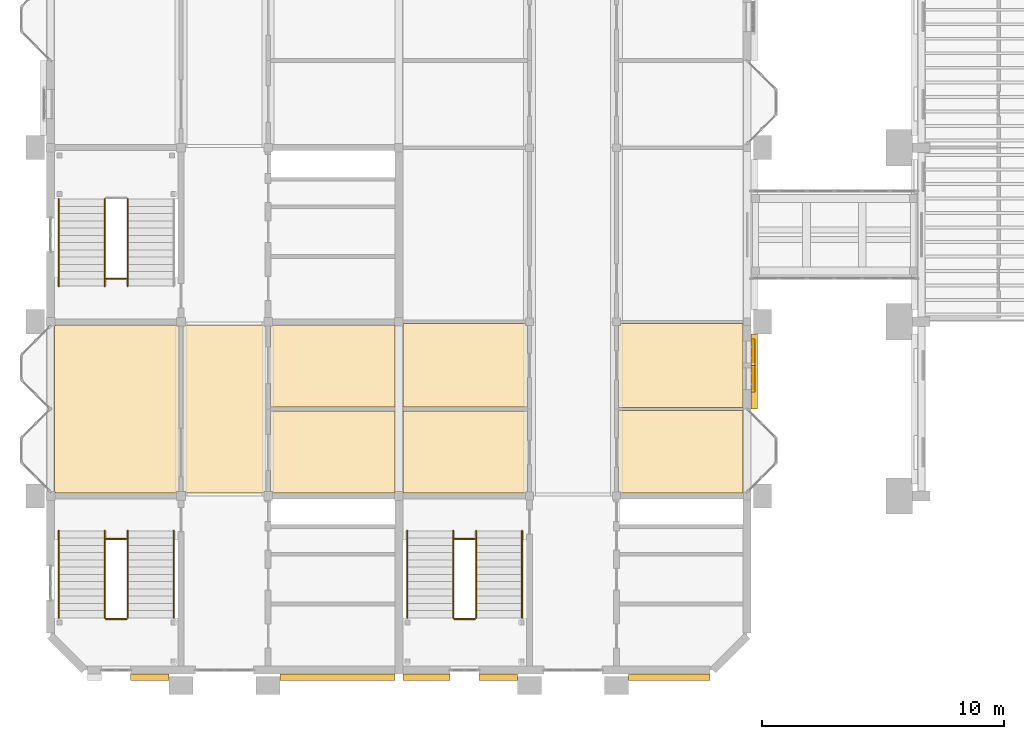
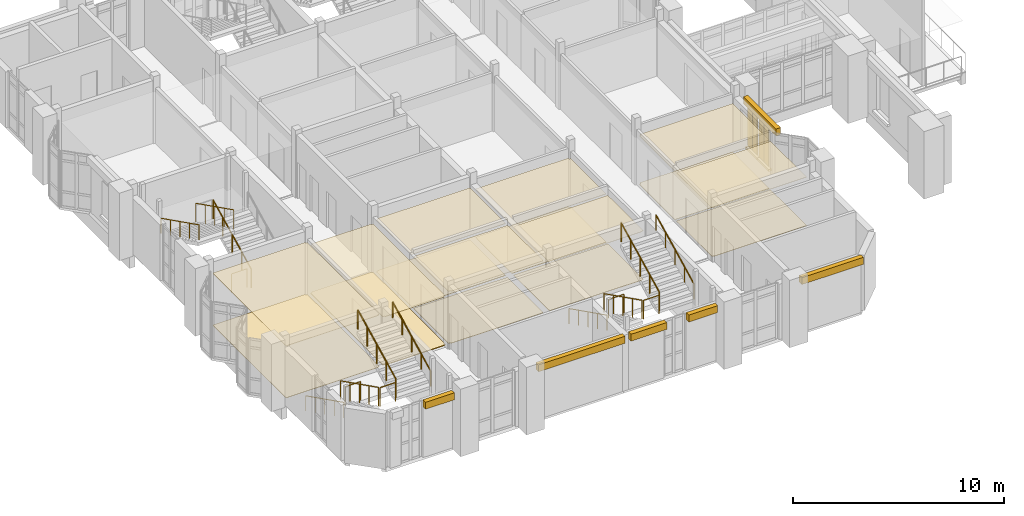
# One storey, part 58 of 69: 28 coverings, 16 railings.
"""IFC4 building model written with IfcOpenShell, lengths in metres."""

from ifc_helpers import new_model, si_unit, direction, frame, origin, origin_2d, place, context, subcontext, project, spatial, polyline, rectangle, circle, outline, extrude, material, layer, layer_set, type_object, element, save


model = new_model("IFC4")

# Units and contexts
model_context = context("Model", 3, precision=1e-05, world=origin(), true_north=direction((0.0, 1.0)))
body_context = subcontext(model_context, "Body", "Model", "MODEL_VIEW")
ifc_project = project(units=[si_unit("LENGTHUNIT", "METRE"), si_unit("AREAUNIT", "SQUARE_METRE"), si_unit("VOLUMEUNIT", "CUBIC_METRE"), si_unit("PLANEANGLEUNIT", "RADIAN"), si_unit("MASSUNIT", "GRAM", prefix="KILO")], contexts=[model_context])

# Site, building, storey
site_placement = place(None, origin())
site = spatial("IfcSite", under=ifc_project, at=site_placement, CompositionType="ELEMENT")
building_placement = place(site_placement, origin())
building = spatial("IfcBuilding", under=site, at=building_placement, Name="Mazhai Court Health Centre", CompositionType="ELEMENT")
storey_placement = place(building_placement, frame((0.0, 0.0, 6.300048828125)))
storey = spatial("IfcBuildingStorey", under=building, at=storey_placement, Name="L01", CompositionType="ELEMENT", Elevation=6.300048828125)

# Coverings
ifc_material_1 = material(Name="Clay brick masonry", Category="masonry")
ifc_layer_1 = layer(ifc_material_1, 0.25)
ifc_layer_set_1 = layer_set([ifc_layer_1], Name="BRICK BAND 250")
covering_type_1 = type_object("IfcCoveringType", Name="BRICK BAND 250", PredefinedType="MOLDING", material=ifc_layer_set_1)
covering_1_placement = place(storey_placement, frame((0.0, 0.0, 2.949951171875)))
element("IfcCovering", 1, at=covering_1_placement, inside=storey, type_object=covering_type_1, Name="EB-V2-L01-Sp1-1", PredefinedType="MOLDING", context=body_context, shape_type="SweptSolid", body=[
    extrude(outline(polyline([(11.10009765625, 6.034912109375), (9.52001953125, 6.034912109375), (9.52001953125, 5.784912109375), (11.10009765625, 5.784912109375), (11.10009765625, 6.034912109375)])), origin(), (0.0, 0.0, 1.0), 0.39990234375),
])
covering_2_placement = place(storey_placement, frame((0.0, 0.0, 2.949951171875)))
element("IfcCovering", 2, at=covering_2_placement, inside=storey, type_object=covering_type_1, Name="EB-V2-L01-Sp2-0", PredefinedType="MOLDING", context=body_context, shape_type="SweptSolid", body=[
    extrude(outline(polyline([(20.43505859375, 6.034912109375), (15.699951171875, 6.034912109375), (15.699951171875, 5.784912109375), (20.43505859375, 5.784912109375), (20.43505859375, 6.034912109375)])), origin(), (0.0, 0.0, 1.0), 0.39990234375),
])
covering_3_placement = place(storey_placement, frame((0.0, 0.0, 2.969970703125)))
element("IfcCovering", 3, at=covering_3_placement, inside=storey, type_object=covering_type_1, Name="EB-V5-L01-B1p1-0", PredefinedType="MOLDING", context=body_context, shape_type="SweptSolid", body=[
    extrude(outline(polyline([(35.1650390625, 20.10009765625), (35.1650390625, 17.0), (35.4150390625, 17.0), (35.4150390625, 20.10009765625), (35.1650390625, 20.10009765625)])), origin(), (0.0, 0.0, 1.0), 0.39990234375),
])
covering_4_placement = place(storey_placement, frame((0.0, 0.0, 2.949951171875)))
element("IfcCovering", 4, at=covering_4_placement, inside=storey, type_object=covering_type_1, Name="EB-V5-L01-Sp0-0", PredefinedType="MOLDING", context=body_context, shape_type="SweptSolid", body=[
    extrude(outline(polyline([(22.719970703125, 6.034912109375), (20.764892578125, 6.034912109375), (20.764892578125, 5.784912109375), (22.719970703125, 5.784912109375), (22.719970703125, 6.034912109375)])), origin(), (0.0, 0.0, 1.0), 0.39990234375),
])
covering_5_placement = place(storey_placement, frame((0.0, 0.0, 2.949951171875)))
element("IfcCovering", 5, at=covering_5_placement, inside=storey, type_object=covering_type_1, Name="EB-V5-L01-Sp1-1", PredefinedType="MOLDING", context=body_context, shape_type="SweptSolid", body=[
    extrude(outline(polyline([(25.5, 6.034912109375), (23.919921875, 6.034912109375), (23.919921875, 5.784912109375), (25.5, 5.784912109375), (25.5, 6.034912109375)])), origin(), (0.0, 0.0, 1.0), 0.39990234375),
])
covering_6_placement = place(storey_placement, frame((0.0, 0.0, 2.949951171875)))
element("IfcCovering", 6, at=covering_6_placement, inside=storey, type_object=covering_type_1, Name="EB-V5-L01-Sp2-0", PredefinedType="MOLDING", context=body_context, shape_type="SweptSolid", body=[
    extrude(outline(polyline([(33.468994140625, 6.034912109375), (30.10009765625, 6.034912109375), (30.10009765625, 5.784912109375), (33.468994140625, 5.784912109375), (33.468994140625, 6.034912109375)])), origin(), (0.0, 0.0, 1.0), 0.39990234375),
])
ifc_material_2 = material(Name="Clay brick masonry", Category="masonry")
ifc_layer_2 = layer(ifc_material_2, 0.14990234375)
ifc_layer_set_2 = layer_set([ifc_layer_2], Name="BRICK SILL COURSE 150")
covering_type_2 = type_object("IfcCoveringType", Name="BRICK SILL COURSE 150", PredefinedType="MOLDING", material=ifc_layer_set_2)
covering_7_placement = place(storey_placement, frame((0.0, 0.0, 0.47998046875)))
element("IfcCovering", 7, at=covering_7_placement, inside=storey, type_object=covering_type_2, Name="ES-WN-V5-L01-B11a", PredefinedType="MOLDING", context=body_context, shape_type="SweptSolid", body=[
    extrude(outline(polyline([(35.1650390625, 18.800048828125), (35.1650390625, 17.699951171875), (35.31494140625, 17.699951171875), (35.31494140625, 18.800048828125), (35.1650390625, 18.800048828125)])), origin(), (0.0, 0.0, 1.0), 0.119873046875),
])
covering_8_placement = place(storey_placement, frame((0.0, 0.0, 0.47998046875)))
element("IfcCovering", 8, at=covering_8_placement, inside=storey, type_object=covering_type_2, Name="ES-WN-V5-L01-B11b", PredefinedType="MOLDING", context=body_context, shape_type="SweptSolid", body=[
    extrude(outline(polyline([(35.1650390625, 19.89990234375), (35.1650390625, 18.800048828125), (35.31494140625, 18.800048828125), (35.31494140625, 19.89990234375), (35.1650390625, 19.89990234375)])), origin(), (0.0, 0.0, 1.0), 0.119873046875),
])
ifc_material_3 = material(Name="Gypsum plasterboard ceiling")
ifc_layer_3 = layer(ifc_material_3, 0.02001953125)
ifc_layer_set_3 = layer_set([ifc_layer_3], Name="CEILING GYPSUM BOARD 20")
covering_type_3 = type_object("IfcCoveringType", Name="CEILING GYPSUM BOARD 20", PredefinedType="CEILING", material=ifc_layer_set_3)
covering_9_placement = place(storey_placement, frame((0.0, 0.0, 2.800048828125)))
element("IfcCovering", 9, at=covering_9_placement, inside=storey, type_object=covering_type_3, Name="ceil-V5-L01-A0-phlebotomy-room", PredefinedType="CEILING", context=body_context, shape_type="SweptSolid", body=[
    extrude(outline(polyline([(20.764892578125, 13.580078125), (20.780029296875, 13.580078125), (20.780029296875, 13.52490234375), (25.840087890625, 13.52490234375), (25.840087890625, 13.56005859375), (25.925048828125, 13.56005859375), (25.925048828125, 16.925048828125), (20.764892578125, 16.925048828125), (20.764892578125, 13.580078125)])), origin(), (0.0, 0.0, 1.0), 0.02001953125),
])
covering_10_placement = place(storey_placement, frame((0.0, 0.0, 2.800048828125)))
element("IfcCovering", 10, at=covering_10_placement, inside=storey, type_object=covering_type_3, Name="ceil-V5-L01-A0-specimen-reception", PredefinedType="CEILING", context=body_context, shape_type="SweptSolid", body=[
    extrude(outline(polyline([(25.925048828125, 20.43994140625), (25.840087890625, 20.43994140625), (25.840087890625, 20.52490234375), (20.780029296875, 20.52490234375), (20.780029296875, 20.419921875), (20.764892578125, 20.419921875), (20.764892578125, 17.074951171875), (25.925048828125, 17.074951171875), (25.925048828125, 20.43994140625)])), origin(), (0.0, 0.0, 1.0), 0.02001953125),
])
covering_11_placement = place(storey_placement, frame((0.0, 0.0, 2.800048828125)))
element("IfcCovering", 11, at=covering_11_placement, inside=storey, type_object=covering_type_3, Name="ceil-V5-L01-B0-dental-surgery-1", PredefinedType="CEILING", context=body_context, shape_type="SweptSolid", body=[
    extrude(outline(polyline([(29.675048828125, 13.56005859375), (29.760009765625, 13.56005859375), (29.760009765625, 13.52490234375), (34.8349609375, 13.52490234375), (34.8349609375, 16.9375), (29.675048828125, 16.9375), (29.675048828125, 13.56005859375)])), origin(), (0.0, 0.0, 1.0), 0.02001953125),
])
covering_12_placement = place(storey_placement, frame((0.0, 0.0, 2.800048828125)))
element("IfcCovering", 12, at=covering_12_placement, inside=storey, type_object=covering_type_3, Name="ceil-V5-L01-B0-dental-surgery-2", PredefinedType="CEILING", context=body_context, shape_type="SweptSolid", body=[
    extrude(outline(polyline([(29.760009765625, 20.53759765625), (29.760009765625, 20.43994140625), (29.675048828125, 20.43994140625), (29.675048828125, 17.0625), (34.8349609375, 17.0625), (34.8349609375, 20.53759765625), (29.760009765625, 20.53759765625)])), origin(), (0.0, 0.0, 1.0), 0.02001953125),
])
ifc_material_4 = material(Name="Sealed gypsum plasterboard ceiling")
ifc_layer_4 = layer(ifc_material_4, 0.02490234375)
ifc_layer_set_4 = layer_set([ifc_layer_4], Name="CEILING SEALED GYPSUM BOARD 25")
covering_type_4 = type_object("IfcCoveringType", Name="CEILING SEALED GYPSUM BOARD 25", PredefinedType="CEILING", material=ifc_layer_set_4)
covering_13_placement = place(storey_placement, frame((0.0, 0.0, 3.0)))
element("IfcCovering", 13, at=covering_13_placement, inside=storey, type_object=covering_type_4, Name="ceil-V2-L01-A0-operating-theatre-1", PredefinedType="CEILING", context=body_context, shape_type="SweptSolid", body=[
    extrude(outline(polyline([(11.512451171875, 20.419921875), (11.419921875, 20.419921875), (11.419921875, 20.47509765625), (6.3798828125, 20.47509765625), (6.3798828125, 20.419921875), (6.364990234375, 20.419921875), (6.364990234375, 13.580078125), (6.3798828125, 13.580078125), (6.3798828125, 13.52490234375), (11.419921875, 13.52490234375), (11.419921875, 13.580078125), (11.512451171875, 13.580078125), (11.512451171875, 20.419921875)])), origin(), (0.0, 0.0, 1.0), 0.02490234375),
])
covering_14_placement = place(storey_placement, frame((0.0, 0.0, 3.0)))
element("IfcCovering", 14, at=covering_14_placement, inside=storey, type_object=covering_type_4, Name="ceil-V2-L01-B0-anaesthetic-room-1", PredefinedType="CEILING", context=body_context, shape_type="SweptSolid", body=[
    extrude(outline(polyline([(15.28759765625, 13.580078125), (15.3798828125, 13.580078125), (15.3798828125, 13.52490234375), (20.419921875, 13.52490234375), (20.419921875, 13.580078125), (20.43505859375, 13.580078125), (20.43505859375, 16.91259765625), (15.28759765625, 16.91259765625), (15.28759765625, 13.580078125)])), origin(), (0.0, 0.0, 1.0), 0.02490234375),
])
covering_15_placement = place(storey_placement, frame((0.0, 0.0, 3.0)))
element("IfcCovering", 15, at=covering_15_placement, inside=storey, type_object=covering_type_4, Name="ceil-V2-L01-B0-scrub-and-prep-room", PredefinedType="CEILING", context=body_context, shape_type="SweptSolid", body=[
    extrude(outline(polyline([(20.43505859375, 20.419921875), (20.419921875, 20.419921875), (20.419921875, 20.47509765625), (15.3798828125, 20.47509765625), (15.3798828125, 20.419921875), (15.28759765625, 20.419921875), (15.28759765625, 17.08740234375), (20.43505859375, 17.08740234375), (20.43505859375, 20.419921875)])), origin(), (0.0, 0.0, 1.0), 0.02490234375),
])
covering_16_placement = place(storey_placement, frame((0.0, 0.0, 2.800048828125)))
element("IfcCovering", 16, at=covering_16_placement, inside=storey, type_object=covering_type_4, Name="ceil-V2-L01-corridor-0", PredefinedType="CEILING", context=body_context, shape_type="SweptSolid", body=[
    extrude(outline(polyline([(15.02001953125, 13.52490234375), (15.02001953125, 13.580078125), (15.112548828125, 13.580078125), (15.112548828125, 20.419921875), (15.02001953125, 20.419921875), (15.02001953125, 20.47509765625), (11.780029296875, 20.47509765625), (11.780029296875, 20.419921875), (11.6875, 20.419921875), (11.6875, 13.580078125), (11.780029296875, 13.580078125), (11.780029296875, 13.52490234375), (15.02001953125, 13.52490234375)])), origin(), (0.0, 0.0, 1.0), 0.02490234375),
])
ifc_material_5 = material(Name="Antistatic vinyl flooring")
ifc_layer_5 = layer(ifc_material_5, 0.02001953125)
ifc_layer_set_5 = layer_set([ifc_layer_5], Name="FLOOR FINISH ANTISTATIC VINYL FLOORING 20")
covering_type_5 = type_object("IfcCoveringType", Name="FLOOR FINISH ANTISTATIC VINYL FLOORING 20", PredefinedType="FLOORING", material=ifc_layer_set_5)
covering_17_placement = place(storey_placement, origin())
element("IfcCovering", 17, at=covering_17_placement, inside=storey, type_object=covering_type_5, Name="floor-V2-L01-A0-operating-theatre-1", PredefinedType="FLOORING", context=body_context, shape_type="SweptSolid", body=[
    extrude(outline(polyline([(11.512451171875, 20.419921875), (11.419921875, 20.419921875), (11.419921875, 20.47509765625), (6.3798828125, 20.47509765625), (6.3798828125, 20.419921875), (6.364990234375, 20.419921875), (6.364990234375, 13.580078125), (6.3798828125, 13.580078125), (6.3798828125, 13.52490234375), (11.419921875, 13.52490234375), (11.419921875, 13.580078125), (11.512451171875, 13.580078125), (11.512451171875, 20.419921875)])), origin(), (0.0, 0.0, 1.0), 0.02001953125),
])
covering_18_placement = place(storey_placement, origin())
element("IfcCovering", 18, at=covering_18_placement, inside=storey, type_object=covering_type_5, Name="floor-V2-L01-B0-anaesthetic-room-1", PredefinedType="FLOORING", context=body_context, shape_type="SweptSolid", body=[
    extrude(outline(polyline([(15.28759765625, 13.580078125), (15.3798828125, 13.580078125), (15.3798828125, 13.52490234375), (20.419921875, 13.52490234375), (20.419921875, 13.580078125), (20.43505859375, 13.580078125), (20.43505859375, 16.91259765625), (15.28759765625, 16.91259765625), (15.28759765625, 13.580078125)])), origin(), (0.0, 0.0, 1.0), 0.02001953125),
])
covering_19_placement = place(storey_placement, origin())
element("IfcCovering", 19, at=covering_19_placement, inside=storey, type_object=covering_type_5, Name="floor-V2-L01-B0-scrub-and-prep-room", PredefinedType="FLOORING", context=body_context, shape_type="SweptSolid", body=[
    extrude(outline(polyline([(20.43505859375, 20.419921875), (20.419921875, 20.419921875), (20.419921875, 20.47509765625), (15.3798828125, 20.47509765625), (15.3798828125, 20.419921875), (15.28759765625, 20.419921875), (15.28759765625, 17.08740234375), (20.43505859375, 17.08740234375), (20.43505859375, 20.419921875)])), origin(), (0.0, 0.0, 1.0), 0.02001953125),
])
ifc_material_6 = material(Name="Heavy duty vinyl flooring")
ifc_layer_6 = layer(ifc_material_6, 0.02001953125)
ifc_layer_set_6 = layer_set([ifc_layer_6], Name="FLOOR FINISH HEAVY DUTY VINYL FLOORING 20")
covering_type_6 = type_object("IfcCoveringType", Name="FLOOR FINISH HEAVY DUTY VINYL FLOORING 20", PredefinedType="FLOORING", material=ifc_layer_set_6)
covering_20_placement = place(storey_placement, origin())
element("IfcCovering", 20, at=covering_20_placement, inside=storey, type_object=covering_type_6, Name="floor-V5-L01-A0-phlebotomy-room", PredefinedType="FLOORING", context=body_context, shape_type="SweptSolid", body=[
    extrude(outline(polyline([(20.764892578125, 13.580078125), (20.780029296875, 13.580078125), (20.780029296875, 13.52490234375), (25.840087890625, 13.52490234375), (25.840087890625, 13.56005859375), (25.925048828125, 13.56005859375), (25.925048828125, 16.925048828125), (20.764892578125, 16.925048828125), (20.764892578125, 13.580078125)])), origin(), (0.0, 0.0, 1.0), 0.02001953125),
])
covering_21_placement = place(storey_placement, origin())
element("IfcCovering", 21, at=covering_21_placement, inside=storey, type_object=covering_type_6, Name="floor-V5-L01-A0-specimen-reception", PredefinedType="FLOORING", context=body_context, shape_type="SweptSolid", body=[
    extrude(outline(polyline([(25.925048828125, 20.43994140625), (25.840087890625, 20.43994140625), (25.840087890625, 20.52490234375), (20.780029296875, 20.52490234375), (20.780029296875, 20.419921875), (20.764892578125, 20.419921875), (20.764892578125, 17.074951171875), (25.925048828125, 17.074951171875), (25.925048828125, 20.43994140625)])), origin(), (0.0, 0.0, 1.0), 0.02001953125),
])
covering_22_placement = place(storey_placement, origin())
element("IfcCovering", 22, at=covering_22_placement, inside=storey, type_object=covering_type_6, Name="floor-V5-L01-B0-dental-surgery-1", PredefinedType="FLOORING", context=body_context, shape_type="SweptSolid", body=[
    extrude(outline(polyline([(29.675048828125, 13.56005859375), (29.760009765625, 13.56005859375), (29.760009765625, 13.52490234375), (34.8349609375, 13.52490234375), (34.8349609375, 16.9375), (29.675048828125, 16.9375), (29.675048828125, 13.56005859375)])), origin(), (0.0, 0.0, 1.0), 0.02001953125),
])
covering_23_placement = place(storey_placement, origin())
element("IfcCovering", 23, at=covering_23_placement, inside=storey, type_object=covering_type_6, Name="floor-V5-L01-B0-dental-surgery-2", PredefinedType="FLOORING", context=body_context, shape_type="SweptSolid", body=[
    extrude(outline(polyline([(29.760009765625, 20.53759765625), (29.760009765625, 20.43994140625), (29.675048828125, 20.43994140625), (29.675048828125, 17.0625), (34.8349609375, 17.0625), (34.8349609375, 20.53759765625), (29.760009765625, 20.53759765625)])), origin(), (0.0, 0.0, 1.0), 0.02001953125),
])
ifc_material_7 = material(Name="Terrazzo flooring")
ifc_layer_7 = layer(ifc_material_7, 0.0400390625)
ifc_layer_set_7 = layer_set([ifc_layer_7], Name="FLOOR FINISH TERRAZZO FLOORING 40")
covering_type_7 = type_object("IfcCoveringType", Name="FLOOR FINISH TERRAZZO FLOORING 40", PredefinedType="FLOORING", material=ifc_layer_set_7)
covering_24_placement = place(storey_placement, origin())
element("IfcCovering", 24, at=covering_24_placement, inside=storey, type_object=covering_type_7, Name="floor-V2-L01-corridor-0", PredefinedType="FLOORING", context=body_context, shape_type="SweptSolid", body=[
    extrude(outline(polyline([(15.02001953125, 13.52490234375), (15.02001953125, 13.580078125), (15.112548828125, 13.580078125), (15.112548828125, 20.419921875), (15.02001953125, 20.419921875), (15.02001953125, 20.47509765625), (11.780029296875, 20.47509765625), (11.780029296875, 20.419921875), (11.6875, 20.419921875), (11.6875, 13.580078125), (11.780029296875, 13.580078125), (11.780029296875, 13.52490234375), (15.02001953125, 13.52490234375)])), origin(), (0.0, 0.0, 1.0), 0.0400390625),
])
ifc_material_8 = material(Name="Aluminium louvre", Category="aluminium")
ifc_layer_8 = layer(ifc_material_8, 0.0400390625)
ifc_layer_set_8 = layer_set([ifc_layer_8], Name="SHUTTER LEAF 600x40")
covering_type_8 = type_object("IfcCoveringType", Name="SHUTTER LEAF 600x40", PredefinedType="CLADDING", material=ifc_layer_set_8)
for number, where, z_axis, x_axis, name in (
    (25, (35.2451171875, 18.02490234375, 0.7001953125), (0.0, 0.0, 1.0), (0.0, 1.0, 0.0), "LV-V5-L01-B11aa"),
    (26, (35.2451171875, 18.47509765625, 0.7001953125), (0.0, 0.0, 1.0), (0.0, 1.0, 0.0), "LV-V5-L01-B11ab"),
    (27, (35.2451171875, 19.125, 0.7001953125), (0.0, 0.0, 1.0), (0.0, 1.0, 0.0), "LV-V5-L01-B11ba"),
    (28, (35.2451171875, 19.574951171875, 0.7001953125), (0.0, 0.0, 1.0), (0.0, 1.0, 0.0), "LV-V5-L01-B11bb"),
):
    element("IfcCovering", number, at=place(storey_placement, frame(where, z_axis=z_axis, x_axis=x_axis)), inside=storey, type_object=covering_type_8, Name=name, PredefinedType="CLADDING", context=body_context, shape_type="SweptSolid", body=[
        extrude(rectangle(XDim=0.449951171875, YDim=0.0400390625, at=origin_2d()), origin(), (0.0, 0.0, 1.0), 2.199951171875),
    ])

# Railings
ifc_material_9 = material(Name="Steel IS 2062 E250", Category="steel")
railing_type_1 = type_object("IfcRailingType", Name="STAIR GUARD 1100", PredefinedType="GUARDRAIL", material=ifc_material_9)
railing_1_placement = place(storey_placement, frame((8.445068359375, 11.965087890625, 0.14990234375)))
element("IfcRailing", 29, at=railing_1_placement, inside=storey, type_object=railing_type_1, Name="L01 ST1 stair guard 1", PredefinedType="GUARDRAIL", context=body_context, shape_type="SweptSolid", body=[
    extrude(circle(Radius=0.02392578125, at=origin_2d()), frame((0.0, 0.0, 1.076171875), z_axis=(0.0, -0.894427191, 0.4472135955), x_axis=(1.0, 0.0, 0.0)), (0.0, 0.0, 1.0), 4.025146484375),
    extrude(circle(Radius=0.02099609375, at=origin_2d()), origin(), (0.0, 0.0, 1.0), 1.052001953125),
    extrude(circle(Radius=0.02099609375, at=origin_2d()), frame((0.0, -0.89990234375, 0.449951171875)), (0.0, 0.0, 1.0), 1.052001953125),
    extrude(circle(Radius=0.02099609375, at=origin_2d()), frame((0.0, -1.800048828125, 0.89990234375)), (0.0, 0.0, 1.0), 1.052001953125),
    extrude(circle(Radius=0.02099609375, at=origin_2d()), frame((0.0, -2.7001953125, 1.35009765625)), (0.0, 0.0, 1.0), 1.052001953125),
    extrude(circle(Radius=0.02099609375, at=origin_2d()), frame((0.0, -3.60009765625, 1.800048828125)), (0.0, 0.0, 1.0), 1.052001953125),
])
railing_2_placement = place(storey_placement, frame((8.4951171875, 8.31494140625, 1.949951171875)))
element("IfcRailing", 30, at=railing_2_placement, inside=storey, type_object=railing_type_1, Name="L01 ST1 stair guard 2", PredefinedType="GUARDRAIL", context=body_context, shape_type="SweptSolid", body=[
    extrude(circle(Radius=0.02392578125, at=origin_2d()), frame((0.0, 0.0, 1.076171875), z_axis=(1.0, 0.0, 0.0), x_axis=(0.0, 1.0, 0.0)), (0.0, 0.0, 1.0), 0.849853515625),
    extrude(circle(Radius=0.02099609375, at=origin_2d()), origin(), (0.0, 0.0, 1.0), 1.052001953125),
    extrude(circle(Radius=0.02099609375, at=origin_2d()), frame((0.849853515625, 0.0, 0.0)), (0.0, 0.0, 1.0), 1.052001953125),
])
railing_3_placement = place(storey_placement, frame((9.39501953125, 8.364990234375, 2.099853515625)))
element("IfcRailing", 31, at=railing_3_placement, inside=storey, type_object=railing_type_1, Name="L01 ST1 stair guard 3", PredefinedType="GUARDRAIL", context=body_context, shape_type="SweptSolid", body=[
    extrude(circle(Radius=0.02392578125, at=origin_2d()), frame((0.0, 0.0, 1.076171875), z_axis=(0.0, 0.894427191, 0.4472135955), x_axis=(-1.0, 0.0, 0.0)), (0.0, 0.0, 1.0), 4.025146484375),
    extrude(circle(Radius=0.02099609375, at=origin_2d()), origin(), (0.0, 0.0, 1.0), 1.052001953125),
    extrude(circle(Radius=0.02099609375, at=origin_2d()), frame((0.0, 0.89990234375, 0.449951171875)), (0.0, 0.0, 1.0), 1.052001953125),
    extrude(circle(Radius=0.02099609375, at=origin_2d()), frame((0.0, 1.800048828125, 0.89990234375)), (0.0, 0.0, 1.0), 1.052001953125),
    extrude(circle(Radius=0.02099609375, at=origin_2d()), frame((0.0, 2.7001953125, 1.35009765625)), (0.0, 0.0, 1.0), 1.052001953125),
    extrude(circle(Radius=0.02099609375, at=origin_2d()), frame((0.0, 3.60009765625, 1.800048828125)), (0.0, 0.0, 1.0), 1.052001953125),
])
railing_4_placement = place(storey_placement, frame((8.4951171875, 11.625, 0.0)))
element("IfcRailing", 32, at=railing_4_placement, inside=storey, type_object=railing_type_1, Name="L01 ST1 stair guard 4", PredefinedType="GUARDRAIL", context=body_context, shape_type="SweptSolid", body=[
    extrude(circle(Radius=0.02392578125, at=origin_2d()), frame((0.0, 0.0, 1.076171875), z_axis=(1.0, 0.0, 0.0), x_axis=(0.0, 1.0, 0.0)), (0.0, 0.0, 1.0), 0.849853515625),
    extrude(circle(Radius=0.02099609375, at=origin_2d()), origin(), (0.0, 0.0, 1.0), 1.052001953125),
    extrude(circle(Radius=0.02099609375, at=origin_2d()), frame((0.849853515625, 0.0, 0.0)), (0.0, 0.0, 1.0), 1.052001953125),
])
railing_5_placement = place(storey_placement, frame((9.39501953125, 22.074951171875, 0.14990234375)))
element("IfcRailing", 33, at=railing_5_placement, inside=storey, type_object=railing_type_1, Name="L01 ST2 stair guard 1", PredefinedType="GUARDRAIL", context=body_context, shape_type="SweptSolid", body=[
    extrude(circle(Radius=0.02392578125, at=origin_2d()), frame((0.0, 0.0, 1.076171875), z_axis=(0.0, 0.894427191, 0.4472135955), x_axis=(-1.0, 0.0, 0.0)), (0.0, 0.0, 1.0), 4.025146484375),
    extrude(circle(Radius=0.02099609375, at=origin_2d()), origin(), (0.0, 0.0, 1.0), 1.052001953125),
    extrude(circle(Radius=0.02099609375, at=origin_2d()), frame((0.0, 0.89990234375, 0.449951171875)), (0.0, 0.0, 1.0), 1.052001953125),
    extrude(circle(Radius=0.02099609375, at=origin_2d()), frame((0.0, 1.800048828125, 0.89990234375)), (0.0, 0.0, 1.0), 1.052001953125),
    extrude(circle(Radius=0.02099609375, at=origin_2d()), frame((0.0, 2.7001953125, 1.35009765625)), (0.0, 0.0, 1.0), 1.052001953125),
    extrude(circle(Radius=0.02099609375, at=origin_2d()), frame((0.0, 3.60009765625, 1.800048828125)), (0.0, 0.0, 1.0), 1.052001953125),
])
railing_6_placement = place(storey_placement, frame((8.445068359375, 25.675048828125, 2.099853515625)))
element("IfcRailing", 34, at=railing_6_placement, inside=storey, type_object=railing_type_1, Name="L01 ST2 stair guard 3", PredefinedType="GUARDRAIL", context=body_context, shape_type="SweptSolid", body=[
    extrude(circle(Radius=0.02392578125, at=origin_2d()), frame((0.0, 0.0, 1.076171875), z_axis=(0.0, -0.894427191, 0.4472135955), x_axis=(1.0, 0.0, 0.0)), (0.0, 0.0, 1.0), 4.025146484375),
    extrude(circle(Radius=0.02099609375, at=origin_2d()), origin(), (0.0, 0.0, 1.0), 1.052001953125),
    extrude(circle(Radius=0.02099609375, at=origin_2d()), frame((0.0, -0.89990234375, 0.449951171875)), (0.0, 0.0, 1.0), 1.052001953125),
    extrude(circle(Radius=0.02099609375, at=origin_2d()), frame((0.0, -1.800048828125, 0.89990234375)), (0.0, 0.0, 1.0), 1.052001953125),
    extrude(circle(Radius=0.02099609375, at=origin_2d()), frame((0.0, -2.7001953125, 1.35009765625)), (0.0, 0.0, 1.0), 1.052001953125),
    extrude(circle(Radius=0.02099609375, at=origin_2d()), frame((0.0, -3.60009765625, 1.800048828125)), (0.0, 0.0, 1.0), 1.052001953125),
])
railing_7_placement = place(storey_placement, frame((9.344970703125, 22.375, 0.0)))
element("IfcRailing", 35, at=railing_7_placement, inside=storey, type_object=railing_type_1, Name="L01 ST2 stair guard 4", PredefinedType="GUARDRAIL", context=body_context, shape_type="SweptSolid", body=[
    extrude(circle(Radius=0.02392578125, at=origin_2d()), frame((0.0, 0.0, 1.076171875), z_axis=(-1.0, 0.0, 0.0), x_axis=(0.0, -1.0, 0.0)), (0.0, 0.0, 1.0), 0.849853515625),
    extrude(circle(Radius=0.02099609375, at=origin_2d()), origin(), (0.0, 0.0, 1.0), 1.052001953125),
    extrude(circle(Radius=0.02099609375, at=origin_2d()), frame((-0.849853515625, 0.0, 0.0)), (0.0, 0.0, 1.0), 1.052001953125),
])
railing_8_placement = place(storey_placement, frame((22.844970703125, 11.965087890625, 0.14990234375)))
element("IfcRailing", 36, at=railing_8_placement, inside=storey, type_object=railing_type_1, Name="L01 ST4 stair guard 1", PredefinedType="GUARDRAIL", context=body_context, shape_type="SweptSolid", body=[
    extrude(circle(Radius=0.02392578125, at=origin_2d()), frame((0.0, 0.0, 1.076171875), z_axis=(0.0, -0.894427191, 0.4472135955), x_axis=(1.0, 0.0, 0.0)), (0.0, 0.0, 1.0), 4.025146484375),
    extrude(circle(Radius=0.02099609375, at=origin_2d()), origin(), (0.0, 0.0, 1.0), 1.052001953125),
    extrude(circle(Radius=0.02099609375, at=origin_2d()), frame((0.0, -0.89990234375, 0.449951171875)), (0.0, 0.0, 1.0), 1.052001953125),
    extrude(circle(Radius=0.02099609375, at=origin_2d()), frame((0.0, -1.800048828125, 0.89990234375)), (0.0, 0.0, 1.0), 1.052001953125),
    extrude(circle(Radius=0.02099609375, at=origin_2d()), frame((0.0, -2.7001953125, 1.35009765625)), (0.0, 0.0, 1.0), 1.052001953125),
    extrude(circle(Radius=0.02099609375, at=origin_2d()), frame((0.0, -3.60009765625, 1.800048828125)), (0.0, 0.0, 1.0), 1.052001953125),
])
railing_9_placement = place(storey_placement, frame((22.89501953125, 8.31494140625, 1.949951171875)))
element("IfcRailing", 37, at=railing_9_placement, inside=storey, type_object=railing_type_1, Name="L01 ST4 stair guard 2", PredefinedType="GUARDRAIL", context=body_context, shape_type="SweptSolid", body=[
    extrude(circle(Radius=0.02392578125, at=origin_2d()), frame((0.0, 0.0, 1.076171875), z_axis=(1.0, 0.0, 0.0), x_axis=(0.0, 1.0, 0.0)), (0.0, 0.0, 1.0), 0.85009765625),
    extrude(circle(Radius=0.02099609375, at=origin_2d()), origin(), (0.0, 0.0, 1.0), 1.052001953125),
    extrude(circle(Radius=0.02099609375, at=origin_2d()), frame((0.85009765625, 0.0, 0.0)), (0.0, 0.0, 1.0), 1.052001953125),
])
railing_10_placement = place(storey_placement, frame((23.794921875, 8.364990234375, 2.099853515625)))
element("IfcRailing", 38, at=railing_10_placement, inside=storey, type_object=railing_type_1, Name="L01 ST4 stair guard 3", PredefinedType="GUARDRAIL", context=body_context, shape_type="SweptSolid", body=[
    extrude(circle(Radius=0.02392578125, at=origin_2d()), frame((0.0, 0.0, 1.076171875), z_axis=(0.0, 0.894427191, 0.4472135955), x_axis=(-1.0, 0.0, 0.0)), (0.0, 0.0, 1.0), 4.025146484375),
    extrude(circle(Radius=0.02099609375, at=origin_2d()), origin(), (0.0, 0.0, 1.0), 1.052001953125),
    extrude(circle(Radius=0.02099609375, at=origin_2d()), frame((0.0, 0.89990234375, 0.449951171875)), (0.0, 0.0, 1.0), 1.052001953125),
    extrude(circle(Radius=0.02099609375, at=origin_2d()), frame((0.0, 1.800048828125, 0.89990234375)), (0.0, 0.0, 1.0), 1.052001953125),
    extrude(circle(Radius=0.02099609375, at=origin_2d()), frame((0.0, 2.7001953125, 1.35009765625)), (0.0, 0.0, 1.0), 1.052001953125),
    extrude(circle(Radius=0.02099609375, at=origin_2d()), frame((0.0, 3.60009765625, 1.800048828125)), (0.0, 0.0, 1.0), 1.052001953125),
])
railing_11_placement = place(storey_placement, frame((22.89501953125, 11.625, 0.0)))
element("IfcRailing", 39, at=railing_11_placement, inside=storey, type_object=railing_type_1, Name="L01 ST4 stair guard 4", PredefinedType="GUARDRAIL", context=body_context, shape_type="SweptSolid", body=[
    extrude(circle(Radius=0.02392578125, at=origin_2d()), frame((0.0, 0.0, 1.076171875), z_axis=(1.0, 0.0, 0.0), x_axis=(0.0, 1.0, 0.0)), (0.0, 0.0, 1.0), 0.85009765625),
    extrude(circle(Radius=0.02099609375, at=origin_2d()), origin(), (0.0, 0.0, 1.0), 1.052001953125),
    extrude(circle(Radius=0.02099609375, at=origin_2d()), frame((0.85009765625, 0.0, 0.0)), (0.0, 0.0, 1.0), 1.052001953125),
])
ifc_material_10 = material(Name="Steel IS 2062 E250", Category="steel")
railing_type_2 = type_object("IfcRailingType", Name="STAIR HANDRAIL 900", PredefinedType="HANDRAIL", material=ifc_material_10)
railing_12_placement = place(storey_placement, frame((6.544921875, 11.965087890625, 0.14990234375)))
element("IfcRailing", 40, at=railing_12_placement, inside=storey, type_object=railing_type_2, Name="L01 ST1 stair handrail 1", PredefinedType="HANDRAIL", context=body_context, shape_type="SweptSolid", body=[
    extrude(circle(Radius=0.02392578125, at=origin_2d()), frame((0.0, 0.0, 0.8759765625), z_axis=(0.0, -0.894427191, 0.4472135955), x_axis=(1.0, 0.0, 0.0)), (0.0, 0.0, 1.0), 4.025146484375),
    extrude(circle(Radius=0.02099609375, at=origin_2d()), origin(), (0.0, 0.0, 1.0), 0.851806640625),
    extrude(circle(Radius=0.02099609375, at=origin_2d()), frame((0.0, -0.89990234375, 0.449951171875)), (0.0, 0.0, 1.0), 0.851806640625),
    extrude(circle(Radius=0.02099609375, at=origin_2d()), frame((0.0, -1.800048828125, 0.89990234375)), (0.0, 0.0, 1.0), 0.851806640625),
    extrude(circle(Radius=0.02099609375, at=origin_2d()), frame((0.0, -2.7001953125, 1.35009765625)), (0.0, 0.0, 1.0), 0.851806640625),
    extrude(circle(Radius=0.02099609375, at=origin_2d()), frame((0.0, -3.60009765625, 1.800048828125)), (0.0, 0.0, 1.0), 0.851806640625),
])
railing_13_placement = place(storey_placement, frame((11.294921875, 8.364990234375, 2.099853515625)))
element("IfcRailing", 41, at=railing_13_placement, inside=storey, type_object=railing_type_2, Name="L01 ST1 stair handrail 2", PredefinedType="HANDRAIL", context=body_context, shape_type="SweptSolid", body=[
    extrude(circle(Radius=0.02392578125, at=origin_2d()), frame((0.0, 0.0, 0.8759765625), z_axis=(0.0, 0.894427191, 0.4472135955), x_axis=(-1.0, 0.0, 0.0)), (0.0, 0.0, 1.0), 4.025146484375),
    extrude(circle(Radius=0.02099609375, at=origin_2d()), origin(), (0.0, 0.0, 1.0), 0.851806640625),
    extrude(circle(Radius=0.02099609375, at=origin_2d()), frame((0.0, 0.89990234375, 0.449951171875)), (0.0, 0.0, 1.0), 0.851806640625),
    extrude(circle(Radius=0.02099609375, at=origin_2d()), frame((0.0, 1.800048828125, 0.89990234375)), (0.0, 0.0, 1.0), 0.851806640625),
    extrude(circle(Radius=0.02099609375, at=origin_2d()), frame((0.0, 2.7001953125, 1.35009765625)), (0.0, 0.0, 1.0), 0.851806640625),
    extrude(circle(Radius=0.02099609375, at=origin_2d()), frame((0.0, 3.60009765625, 1.800048828125)), (0.0, 0.0, 1.0), 0.851806640625),
])
for number, where, name in (
    (42, (6.544921875, 25.675048828125, 2.099853515625), "L01 ST2 stair handrail 2"),
    (43, (20.945068359375, 11.965087890625, 0.14990234375), "L01 ST4 stair handrail 1"),
):
    element("IfcRailing", number, at=place(storey_placement, frame(where)), inside=storey, type_object=railing_type_2, Name=name, PredefinedType="HANDRAIL", context=body_context, shape_type="SweptSolid", body=[
        extrude(circle(Radius=0.02392578125, at=origin_2d()), frame((0.0, 0.0, 0.8759765625), z_axis=(0.0, -0.894427191, 0.4472135955), x_axis=(1.0, 0.0, 0.0)), (0.0, 0.0, 1.0), 4.025146484375),
        extrude(circle(Radius=0.02099609375, at=origin_2d()), origin(), (0.0, 0.0, 1.0), 0.851806640625),
        extrude(circle(Radius=0.02099609375, at=origin_2d()), frame((0.0, -0.89990234375, 0.449951171875)), (0.0, 0.0, 1.0), 0.851806640625),
        extrude(circle(Radius=0.02099609375, at=origin_2d()), frame((0.0, -1.800048828125, 0.89990234375)), (0.0, 0.0, 1.0), 0.851806640625),
        extrude(circle(Radius=0.02099609375, at=origin_2d()), frame((0.0, -2.7001953125, 1.35009765625)), (0.0, 0.0, 1.0), 0.851806640625),
        extrude(circle(Radius=0.02099609375, at=origin_2d()), frame((0.0, -3.60009765625, 1.800048828125)), (0.0, 0.0, 1.0), 0.851806640625),
    ])
railing_14_placement = place(storey_placement, frame((25.695068359375, 8.364990234375, 2.099853515625)))
element("IfcRailing", 44, at=railing_14_placement, inside=storey, type_object=railing_type_2, Name="L01 ST4 stair handrail 2", PredefinedType="HANDRAIL", context=body_context, shape_type="SweptSolid", body=[
    extrude(circle(Radius=0.02392578125, at=origin_2d()), frame((0.0, 0.0, 0.8759765625), z_axis=(0.0, 0.894427191, 0.4472135955), x_axis=(-1.0, 0.0, 0.0)), (0.0, 0.0, 1.0), 4.025146484375),
    extrude(circle(Radius=0.02099609375, at=origin_2d()), origin(), (0.0, 0.0, 1.0), 0.851806640625),
    extrude(circle(Radius=0.02099609375, at=origin_2d()), frame((0.0, 0.89990234375, 0.449951171875)), (0.0, 0.0, 1.0), 0.851806640625),
    extrude(circle(Radius=0.02099609375, at=origin_2d()), frame((0.0, 1.800048828125, 0.89990234375)), (0.0, 0.0, 1.0), 0.851806640625),
    extrude(circle(Radius=0.02099609375, at=origin_2d()), frame((0.0, 2.7001953125, 1.35009765625)), (0.0, 0.0, 1.0), 0.851806640625),
    extrude(circle(Radius=0.02099609375, at=origin_2d()), frame((0.0, 3.60009765625, 1.800048828125)), (0.0, 0.0, 1.0), 0.851806640625),
])

save(model, "model.ifc")
